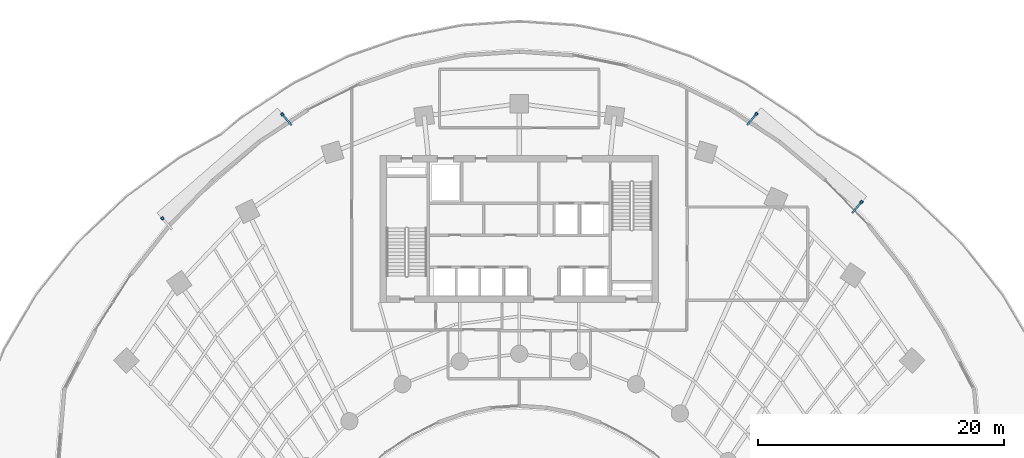
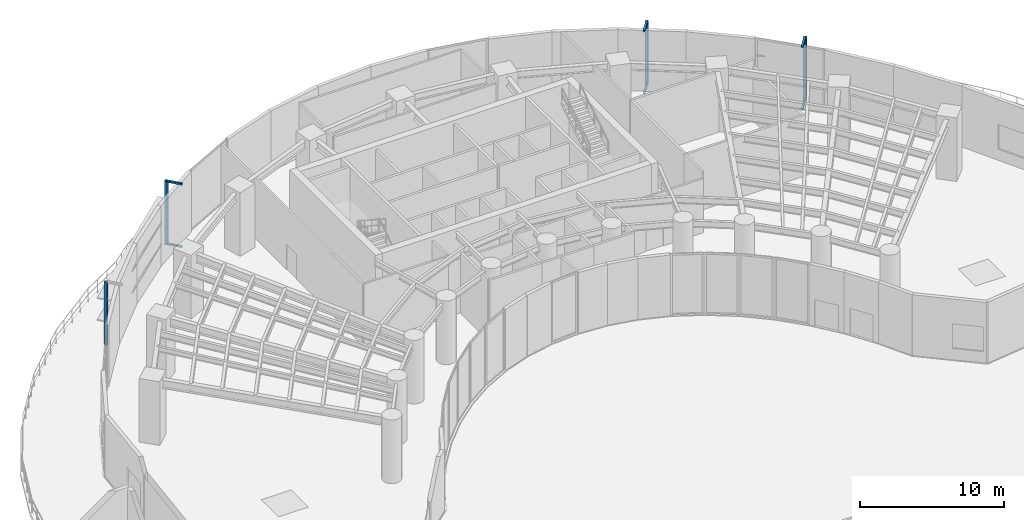
# One storey, part 13 of 17: 10 discrete accessories.
"""IFC4 building model written with IfcOpenShell, lengths in metres."""

from ifc_helpers import new_model, si_unit, direction, frame, origin, origin_2d, place, context, subcontext, project, spatial, rectangle, extrude, source, transform, mapped, material, type_object, type_shapes, element, save


model = new_model("IFC4")

# Units and contexts
model_context = context("Model", 3, precision=1e-05, world=origin(), true_north=direction((0.0, 1.0)))
body_context = subcontext(model_context, "Body", "Model", "MODEL_VIEW")
ifc_project = project(units=[si_unit("LENGTHUNIT", "METRE"), si_unit("AREAUNIT", "SQUARE_METRE"), si_unit("VOLUMEUNIT", "CUBIC_METRE"), si_unit("PLANEANGLEUNIT", "RADIAN"), si_unit("MASSUNIT", "GRAM", prefix="KILO")], contexts=[model_context])

# Site, building, storey
site_placement = place(None, origin())
site = spatial("IfcSite", under=ifc_project, at=site_placement, CompositionType="ELEMENT")
building_placement = place(site_placement, origin())
building = spatial("IfcBuilding", under=site, at=building_placement, Name="Breltana Convention Tower", CompositionType="ELEMENT")
storey_placement = place(building_placement, frame((0.0, 0.0, 30.0)))
storey = spatial("IfcBuildingStorey", under=building, at=storey_placement, Name="L05", CompositionType="ELEMENT", Elevation=30.0)

# Discrete accessories
ifc_material = material(Name="Steel S355", Category="steel")
discrete_accessory_type_1 = type_object("IfcDiscreteAccessoryType", Name="ACC-DSF-BRACKET-150", PredefinedType="BRACKET", material=ifc_material)
shared_shape_1 = source(origin(), body_context, "Body", "SweptSolid", [
    extrude(rectangle(XDim=1.239990234375, YDim=0.14990234375, at=origin_2d()), origin(), (0.0, 0.0, 1.0), 0.139892578125),
])
type_shapes(discrete_accessory_type_1, [shared_shape_1])
for number, where, z_axis, x_axis, name in (
    (1, (29.052978515625, 75.121337890625, -0.16015625), (0.0, 0.0, 1.0), (-0.656456838663, 0.754363585397, 0.0), "L05 double-skin slab stand-off bracket 1.2B"),
    (2, (29.052978515625, 75.121337890625, 5.16015625), (0.0, 0.0, 1.0), (-0.656456838663, 0.754363585397, 0.0), "L05 double-skin slab stand-off bracket 1.2T"),
    (3, (66.954833984375, 75.1435546875, -0.16015625), (0.0, 0.0, 1.0), (0.641990162706, 0.76671287389, 0.0), "L05 double-skin slab stand-off bracket 2.1B"),
    (4, (66.954833984375, 75.1435546875, 5.16015625), (0.0, 0.0, 1.0), (0.641990162706, 0.76671287389, 0.0), "L05 double-skin slab stand-off bracket 2.1T"),
    (5, (75.516357421875, 67.974853515625, -0.16015625), (0.0, 0.0, 1.0), (0.641990162706, 0.76671287389, 0.0), "L05 double-skin slab stand-off bracket 2.2B"),
    (6, (75.516357421875, 67.974853515625, 5.16015625), (0.0, 0.0, 1.0), (0.641990162706, 0.76671287389, 0.0), "L05 double-skin slab stand-off bracket 2.2T"),
):
    element("IfcDiscreteAccessory", number, at=place(storey_placement, frame(where, z_axis=z_axis, x_axis=x_axis)), inside=storey, type_object=discrete_accessory_type_1, Name=name, PredefinedType="BRACKET", context=body_context, shape_type="MappedRepresentation", body=[
        mapped(shared_shape_1, transform((0.0, 0.0, 0.0), scale=1.0)),
    ])
discrete_accessory_type_2 = type_object("IfcDiscreteAccessoryType", Name="ACC-DSF-CARRIER-150", PredefinedType="BRACKET", material=ifc_material)
shared_shape_2 = source(origin(), body_context, "Body", "SweptSolid", [
    extrude(rectangle(XDim=0.219970703125, YDim=0.219970703125, at=origin_2d()), origin(), (0.0, 0.0, 1.0), 5.3798828125),
])
type_shapes(discrete_accessory_type_2, [shared_shape_2])
for number, where, z_axis, x_axis, name in (
    (7, (18.943115234375, 67.066162109375, -0.119873046875), (0.0, 0.0, 1.0), (-0.656456838663, 0.754363585397, 0.0), "L05 double-skin outer vertical carrier 1.1"),
    (8, (28.685302734375, 75.5439453125, -0.119873046875), (0.0, 0.0, 1.0), (-0.656456838663, 0.754363585397, 0.0), "L05 double-skin outer vertical carrier 1.2"),
    (9, (67.314453125, 75.57275390625, -0.119873046875), (0.0, 0.0, 1.0), (0.641990162706, 0.76671287389, 0.0), "L05 double-skin outer vertical carrier 2.1"),
    (10, (75.875732421875, 68.404052734375, -0.119873046875), (0.0, 0.0, 1.0), (0.641990162706, 0.76671287389, 0.0), "L05 double-skin outer vertical carrier 2.2"),
):
    element("IfcDiscreteAccessory", number, at=place(storey_placement, frame(where, z_axis=z_axis, x_axis=x_axis)), inside=storey, type_object=discrete_accessory_type_2, Name=name, PredefinedType="BRACKET", context=body_context, shape_type="MappedRepresentation", body=[
        mapped(shared_shape_2, transform((0.0, 0.0, 0.0), scale=1.0)),
    ])

save(model, "model.ifc")
